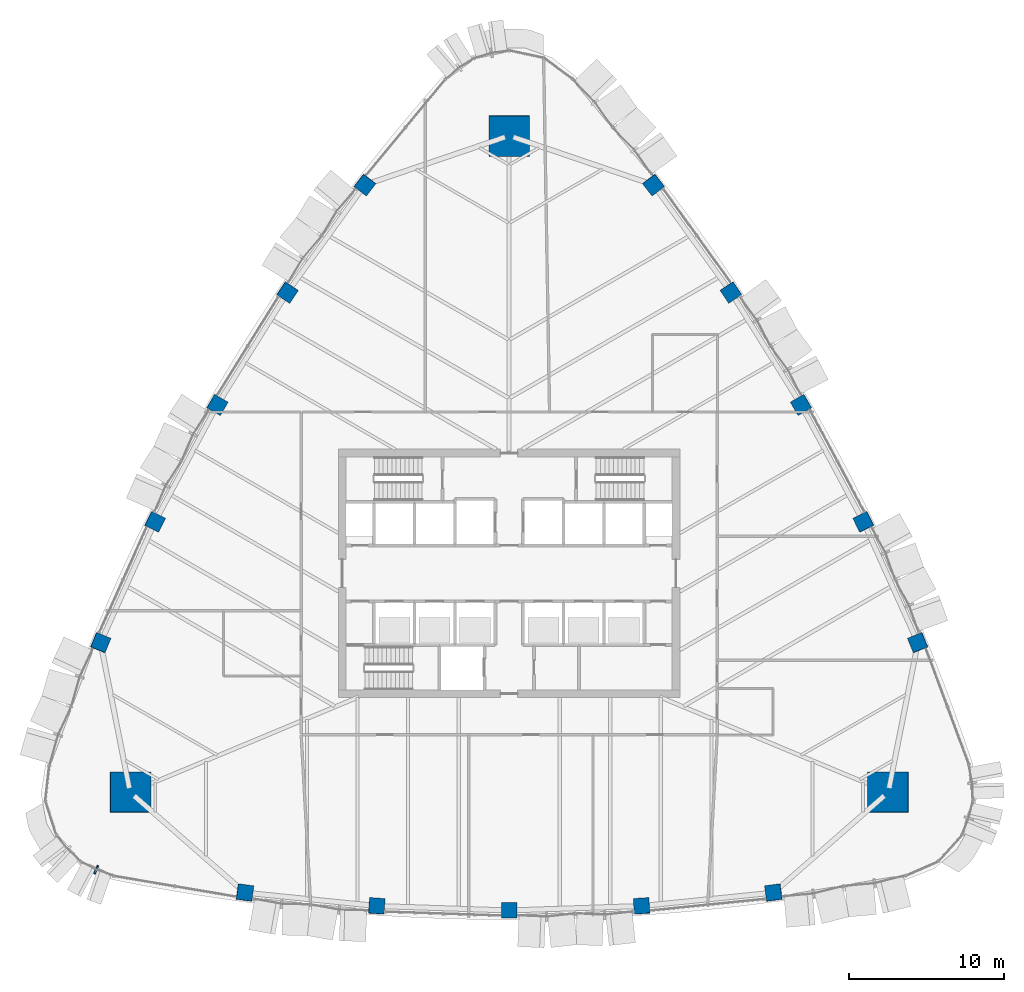
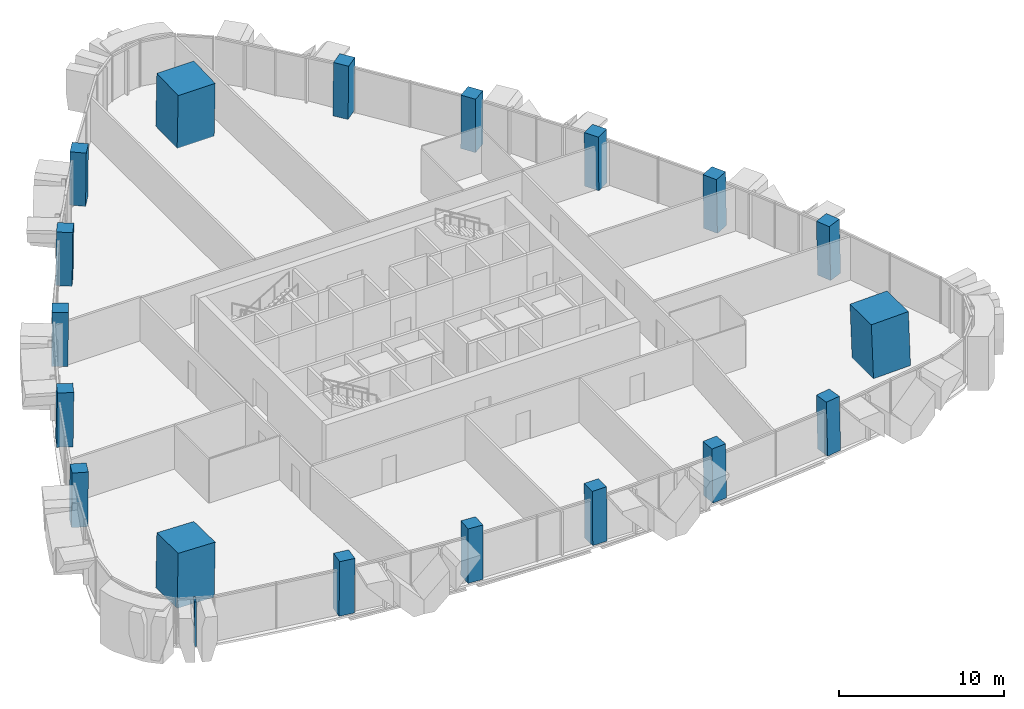
# One storey, part 1 of 17: 18 columns, 1 member, 1 element without a shape of its own.
"""IFC4 building model written with IfcOpenShell, lengths in metres."""

from ifc_helpers import new_model, si_unit, direction, frame, origin, origin_2d, place, context, subcontext, project, spatial, rectangle, extrude, material, layer, layer_set, material_profile, profile_set, type_object, element, aggregate, save


model = new_model("IFC4")

# Units and contexts
model_context = context("Model", 3, precision=1e-05, world=origin(), true_north=direction((0.0, 1.0)))
body_context = subcontext(model_context, "Body", "Model", "MODEL_VIEW")
ifc_project = project(units=[si_unit("LENGTHUNIT", "METRE"), si_unit("AREAUNIT", "SQUARE_METRE"), si_unit("VOLUMEUNIT", "CUBIC_METRE"), si_unit("PLANEANGLEUNIT", "RADIAN"), si_unit("MASSUNIT", "GRAM", prefix="KILO")], contexts=[model_context])

# Site, building, storey
site_placement = place(None, origin())
site = spatial("IfcSite", under=ifc_project, at=site_placement, CompositionType="ELEMENT")
building_placement = place(site_placement, origin())
building = spatial("IfcBuilding", under=site, at=building_placement, Name="Sierra Prisma Convention Tower", CompositionType="ELEMENT")
storey_placement = place(building_placement, frame((0.0, 0.0, 149.800048828125)))
storey = spatial("IfcBuildingStorey", under=building, at=storey_placement, Name="L32", CompositionType="ELEMENT", Elevation=149.800048828125)

# Columns
ifc_material_1 = material(Name="Concrete C60/75", Category="concrete")
ifc_material_profile_1 = material_profile(ifc_material_1, rectangle(XDim=2.60009765625, YDim=2.60009765625, at=origin_2d()), Name="Mega column RC 2600 C60/75")
ifc_profile_set_1 = profile_set([ifc_material_profile_1], Name="Concrete C60/75")
column_type_1 = type_object("IfcColumnType", Name="Mega column RC 2600 C60/75", PredefinedType="COLUMN", material=ifc_profile_set_1)
for number, where, z_axis, x_axis, name in (
    (1, (24.4208984375, -14.099365234375, 0.0), (-0.02806141744, 0.01622681965, 0.999474485505), (0.999606200887, 0.000455526946, 0.028057719863), "Mega column SE L32"),
    (2, (0.0, 28.19873046875, 0.0), (0.0, -0.032392660026, 0.999475220091), (1.0, 0.0, 0.0), "Mega column N L32"),
    (3, (-24.4208984375, -14.099365234375, 0.0), (0.02806141744, 0.01622681965, 0.999474485505), (0.999606200887, -0.000455526946, -0.028057719863), "Mega column SW L32"),
):
    element("IfcColumn", number, at=place(storey_placement, frame(where, z_axis=z_axis, x_axis=x_axis)), inside=storey, type_object=column_type_1, Name=name, PredefinedType="COLUMN", context=body_context, shape_type="SweptSolid", body=[
        extrude(rectangle(XDim=2.60009765625, YDim=2.60009765625, at=origin_2d()), origin(), (0.0, 0.0, 1.0), 4.002197265625),
    ])
ifc_material_2 = material(Name="Concrete C60/75", Category="concrete")
ifc_material_profile_2 = material_profile(ifc_material_2, rectangle(XDim=1.0, YDim=1.0, at=origin_2d()), Name="Perimeter column RC 1000 C60/75")
ifc_profile_set_2 = profile_set([ifc_material_profile_2], Name="Concrete C60/75")
column_type_2 = type_object("IfcColumnType", Name="Perimeter column RC 1000 C60/75", PredefinedType="COLUMN", material=ifc_profile_set_2)
column_1_placement = place(storey_placement, frame((-17.031005859375, -20.565673828125, 0.0), z_axis=(0.017696448434, 0.010495824588, 0.999788314284), x_axis=(-0.9908324592, 0.134130035979, 0.016129824645)))
element("IfcColumn", 4, at=column_1_placement, inside=storey, type_object=column_type_2, Name="Perimeter column S-1 L32", PredefinedType="COLUMN", context=body_context, shape_type="SweptSolid", body=[
    extrude(rectangle(XDim=1.0, YDim=1.0, at=origin_2d()), origin(), (0.0, 0.0, 1.0), 4.000732421875),
])
column_2_placement = place(storey_placement, frame((-8.53466796875, -21.424560546875, 0.0), z_axis=(0.008849199152, 0.01116829962, 0.999898475225), x_axis=(-0.997705241451, 0.067223373028, 0.008078941818)))
element("IfcColumn", 5, at=column_2_placement, inside=storey, type_object=column_type_2, Name="Perimeter column S-2 L32", PredefinedType="COLUMN", context=body_context, shape_type="SweptSolid", body=[
    extrude(rectangle(XDim=1.0, YDim=1.0, at=origin_2d()), origin(), (0.0, 0.0, 1.0), 4.00048828125),
])
column_3_placement = place(storey_placement, frame((0.0, -21.71142578125, 0.0), z_axis=(0.0, 0.01141283087, 0.999934871525), x_axis=(1.0, 0.0, 0.0)))
element("IfcColumn", 6, at=column_3_placement, inside=storey, type_object=column_type_2, Name="Perimeter column S-3 L32", PredefinedType="COLUMN", context=body_context, shape_type="SweptSolid", body=[
    extrude(rectangle(XDim=1.0, YDim=1.0, at=origin_2d()), origin(), (0.0, 0.0, 1.0), 4.000244140625),
])
column_4_placement = place(storey_placement, frame((8.53466796875, -21.424560546875, 0.0), z_axis=(-0.008849199152, 0.01116829962, 0.999898475225), x_axis=(0.997705241451, 0.067223373028, 0.008078941818)))
element("IfcColumn", 7, at=column_4_placement, inside=storey, type_object=column_type_2, Name="Perimeter column S-4 L32", PredefinedType="COLUMN", context=body_context, shape_type="SweptSolid", body=[
    extrude(rectangle(XDim=1.0, YDim=1.0, at=origin_2d()), origin(), (0.0, 0.0, 1.0), 4.00048828125),
])
for number, where, z_axis, x_axis, name in (
    (8, (17.031005859375, -20.565673828125, 0.0), (-0.017696448434, 0.010495824588, 0.999788314284), (0.9908324592, 0.134130035979, 0.016129824645), "Perimeter column S-5 L32"),
    (9, (26.32568359375, -4.46630859375, 0.0), (-0.017879535448, 0.010068680372, 0.999789449778), (-0.379426178831, 0.925081893574, -0.016101707937), "Perimeter column NE-1 L32"),
):
    element("IfcColumn", number, at=place(storey_placement, frame(where, z_axis=z_axis, x_axis=x_axis)), inside=storey, type_object=column_type_2, Name=name, PredefinedType="COLUMN", context=body_context, shape_type="SweptSolid", body=[
        extrude(rectangle(XDim=1.0, YDim=1.0, at=origin_2d()), origin(), (0.0, 0.0, 1.0), 4.000732421875),
    ])
column_5_placement = place(storey_placement, frame((22.821533203125, 3.321044921875, 0.0), z_axis=(-0.014097689605, 0.002074984617, 0.999898469639), x_axis=(-0.440692979973, 0.897621564819, -0.008076123754)))
element("IfcColumn", 10, at=column_5_placement, inside=storey, type_object=column_type_2, Name="Perimeter column NE-2 L32", PredefinedType="COLUMN", context=body_context, shape_type="SweptSolid", body=[
    extrude(rectangle(XDim=1.0, YDim=1.0, at=origin_2d()), origin(), (0.0, 0.0, 1.0), 4.00048828125),
])
column_6_placement = place(storey_placement, frame((18.802490234375, 10.855712890625, 0.0), z_axis=(-0.009826027463, -0.005675904062, 0.999935614576), x_axis=(-0.499975861713, 0.866039339578, 2.779837e-06)))
element("IfcColumn", 11, at=column_6_placement, inside=storey, type_object=column_type_2, Name="Perimeter column NE-3 L32", PredefinedType="COLUMN", context=body_context, shape_type="SweptSolid", body=[
    extrude(rectangle(XDim=1.0, YDim=1.0, at=origin_2d()), origin(), (0.0, 0.0, 1.0), 4.000244140625),
])
column_7_placement = place(storey_placement, frame((14.286865234375, 18.103515625, 0.0), z_axis=(-0.005248490815, -0.013243284963, 0.999898529226), x_axis=(-0.556999856926, 0.830473325265, 0.008075605706)))
element("IfcColumn", 12, at=column_7_placement, inside=storey, type_object=column_type_2, Name="Perimeter column NE-4 L32", PredefinedType="COLUMN", context=body_context, shape_type="SweptSolid", body=[
    extrude(rectangle(XDim=1.0, YDim=1.0, at=origin_2d()), origin(), (0.0, 0.0, 1.0), 4.00048828125),
])
for number, where, z_axis, x_axis, name in (
    (13, (9.294921875, 25.031982421875, 0.0), (-0.000244088989, -0.020564497316, 0.999788498569), (-0.611500783667, 0.791079555374, 0.016122302675), "Perimeter column NE-5 L32"),
    (14, (-9.294921875, 25.031982421875, 0.0), (0.000244088989, -0.020564497316, 0.999788498569), (0.611500783667, 0.791079555374, 0.016122302675), "Perimeter column NW-1 L32"),
):
    element("IfcColumn", number, at=place(storey_placement, frame(where, z_axis=z_axis, x_axis=x_axis)), inside=storey, type_object=column_type_2, Name=name, PredefinedType="COLUMN", context=body_context, shape_type="SweptSolid", body=[
        extrude(rectangle(XDim=1.0, YDim=1.0, at=origin_2d()), origin(), (0.0, 0.0, 1.0), 4.000732421875),
    ])
column_8_placement = place(storey_placement, frame((-14.286865234375, 18.103515625, 0.0), z_axis=(0.005248490815, -0.013243284963, 0.999898529226), x_axis=(0.556999856926, 0.830473325265, 0.008075605706)))
element("IfcColumn", 15, at=column_8_placement, inside=storey, type_object=column_type_2, Name="Perimeter column NW-2 L32", PredefinedType="COLUMN", context=body_context, shape_type="SweptSolid", body=[
    extrude(rectangle(XDim=1.0, YDim=1.0, at=origin_2d()), origin(), (0.0, 0.0, 1.0), 4.00048828125),
])
column_9_placement = place(storey_placement, frame((-18.802490234375, 10.855712890625, 0.0), z_axis=(0.009826027463, -0.005675904062, 0.999935614576), x_axis=(0.499975861713, 0.866039339578, 2.779837e-06)))
element("IfcColumn", 16, at=column_9_placement, inside=storey, type_object=column_type_2, Name="Perimeter column NW-3 L32", PredefinedType="COLUMN", context=body_context, shape_type="SweptSolid", body=[
    extrude(rectangle(XDim=1.0, YDim=1.0, at=origin_2d()), origin(), (0.0, 0.0, 1.0), 4.000244140625),
])
column_10_placement = place(storey_placement, frame((-22.821533203125, 3.321044921875, 0.0), z_axis=(0.014097689605, 0.002074984617, 0.999898469639), x_axis=(0.440692979973, 0.897621564819, -0.008076123754)))
element("IfcColumn", 17, at=column_10_placement, inside=storey, type_object=column_type_2, Name="Perimeter column NW-4 L32", PredefinedType="COLUMN", context=body_context, shape_type="SweptSolid", body=[
    extrude(rectangle(XDim=1.0, YDim=1.0, at=origin_2d()), origin(), (0.0, 0.0, 1.0), 4.00048828125),
])
column_11_placement = place(storey_placement, frame((-26.32568359375, -4.46630859375, 0.0), z_axis=(0.017879535448, 0.010068680372, 0.999789449778), x_axis=(0.379426178831, 0.925081893574, -0.016101707937)))
element("IfcColumn", 18, at=column_11_placement, inside=storey, type_object=column_type_2, Name="Perimeter column NW-5 L32", PredefinedType="COLUMN", context=body_context, shape_type="SweptSolid", body=[
    extrude(rectangle(XDim=1.0, YDim=1.0, at=origin_2d()), origin(), (0.0, 0.0, 1.0), 4.000732421875),
])

# Curtain wall, member
ifc_material_3 = material(Name="Aluminium and glass curtain wall", Category="aluminium")
ifc_layer = layer(ifc_material_3, 0.179931640625)
ifc_layer_set = layer_set([ifc_layer], Name="CW-2 Faceted crystal curtain wall")
curtain_wall_type = type_object("IfcCurtainWallType", Name="CW-2 Faceted crystal curtain wall", PredefinedType="NOTDEFINED", material=ifc_layer_set)
curtain_wall_placement = place(storey_placement, origin())
curtain_wall = element("IfcCurtainWall", 19, at=curtain_wall_placement, inside=storey, type_object=curtain_wall_type, Name="CW-2 SW4 L32", PredefinedType="NOTDEFINED")
ifc_material_4 = material(Name="Aluminium 6063-T6 bronze anodised", Category="aluminium")
ifc_material_profile_3 = material_profile(ifc_material_4, rectangle(XDim=0.1201171875, YDim=0.60009765625, at=origin_2d()), Name="ALU RIDGE BLADE 120x600")
ifc_profile_set_3 = profile_set([ifc_material_profile_3], Name="Aluminium 6063-T6 bronze anodised")
member_type = type_object("IfcMemberType", Name="CW hip bronze", PredefinedType="MULLION", material=ifc_profile_set_3)
member_placement = place(storey_placement, frame((-26.6103515625, -19.096435546875, 0.0), z_axis=(0.0, 0.0, 1.0), x_axis=(0.91594042282, -0.40131426818, 0.0)))
member = element("IfcMember", 20, at=member_placement, type_object=member_type, Name="CW-2 ridge SW4.1", PredefinedType="MULLION", context=body_context, shape_type="SweptSolid", body=[
    extrude(rectangle(XDim=0.1201171875, YDim=0.60009765625, at=origin_2d()), origin(), (0.0, 0.0, 1.0), 3.280029296875),
])
aggregate(curtain_wall, [member])

save(model, "model.ifc")
